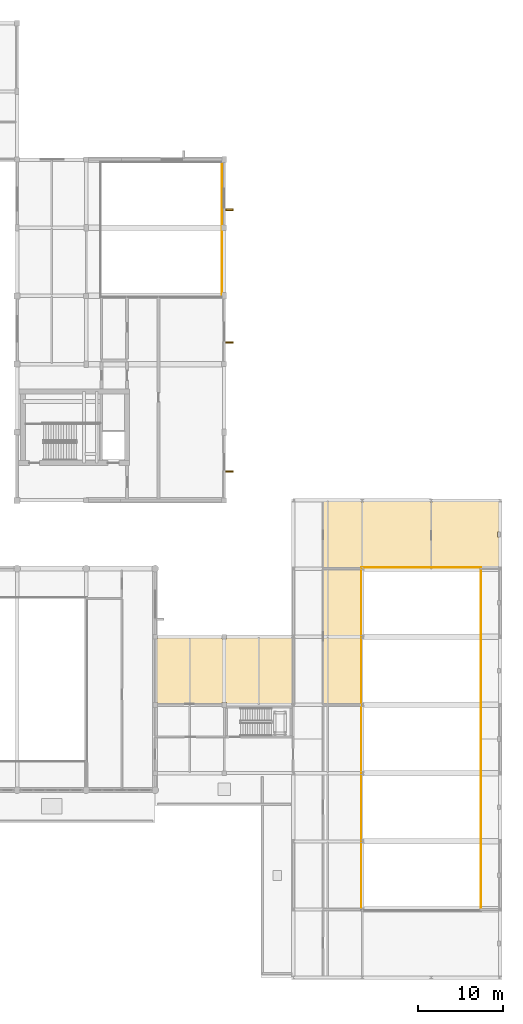
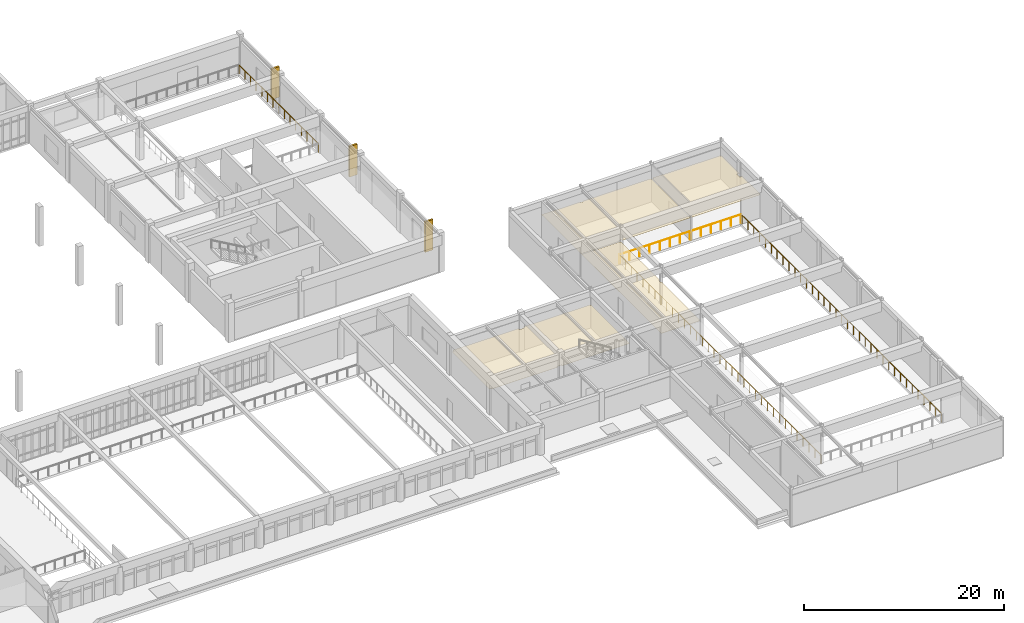
# One storey, part 61 of 61: 5 railings, 4 coverings, 3 shading devices.
"""IFC4 building model written with IfcOpenShell, lengths in metres."""

import ifcopenshell
import ifcopenshell.guid

model = None  # the IFC model being written
_history = None  # IfcOwnerHistory: only IFC2X3 demands one
_inside = {}  # id of a spatial element -> (the spatial element, [elements in it])
_under = {}  # id of a project, library or spatial element -> (it, [spatial elements below it])
_declared = {}  # id of a project -> (the project, [libraries it declares])
_typed = {}  # id of a type object -> (the type object, [elements of that type])
_made_of = {}  # id of a material, layer set ... -> (it, [elements and type objects made of it])


def new_model(schema):
    """Start an empty IFC model of exactly this schema.

    Asked for "IFC4X3", IfcOpenShell would pick the latest addendum, in which some entities
    have other attributes; the version numbers below select the first issue.
    IFC2X3 requires an IfcOwnerHistory on every rooted entity: one is made here for all.
    """
    global model, _history
    if schema == "IFC4X3":
        model = ifcopenshell.file(schema_version=(4, 3, 0, 0))
    else:
        model = ifcopenshell.file(schema=schema)
    _inside.clear()
    _under.clear()
    _declared.clear()
    _typed.clear()
    _made_of.clear()
    _history = None
    if model.schema == "IFC2X3":
        org = make("IfcOrganization", Name="unknown")
        user = make(
            "IfcPersonAndOrganization",
            ThePerson=make("IfcPerson", FamilyName="unknown"),
            TheOrganization=org,
        )
        app = make(
            "IfcApplication",
            ApplicationDeveloper=org,
            Version="unknown",
            ApplicationFullName="unknown",
            ApplicationIdentifier="unknown",
        )
        _history = make(
            "IfcOwnerHistory",
            OwningUser=user,
            OwningApplication=app,
            ChangeAction="ADDED",
            CreationDate=0,
        )
    return model


def make(cls, **values):
    """One entity of the class cls with the attributes given. An attribute that is None is left unset."""
    return model.create_entity(
        cls, **{name: value for name, value in values.items() if value is not None}
    )


def rooted(cls, **values):
    """An entity with a GlobalId (a new one), such as an element, a storey or a relation."""
    return make(cls, GlobalId=ifcopenshell.guid.new(), OwnerHistory=_history, **values)


def si_unit(unit_type, name, prefix=None):
    """IfcSIUnit, for example si_unit("LENGTHUNIT", "METRE", prefix="MILLI")."""
    return make("IfcSIUnit", UnitType=unit_type, Prefix=prefix, Name=name)


def assignment(units):
    """IfcUnitAssignment: the units of a project."""
    return None if units is None else make("IfcUnitAssignment", Units=units)


def point(xyz):
    """IfcCartesianPoint."""
    return None if xyz is None else make("IfcCartesianPoint", Coordinates=xyz)


def direction(xyz):
    """IfcDirection."""
    return None if xyz is None else make("IfcDirection", DirectionRatios=xyz)


def frame(location, z_axis=None, x_axis=None):
    """IfcAxis2Placement3D, a coordinate frame: its origin and axes. An axis left out is left unset."""
    return make(
        "IfcAxis2Placement3D",
        Location=point(location),
        Axis=direction(z_axis),
        RefDirection=direction(x_axis),
    )


def frame_2d(location, x_axis=None):
    """IfcAxis2Placement2D, a coordinate frame in the plane: its origin and x axis."""
    return make(
        "IfcAxis2Placement2D", Location=point(location), RefDirection=direction(x_axis)
    )


def origin():
    """The frame at (0, 0, 0) with its axes left unset."""
    return frame((0.0, 0.0, 0.0))


def origin_2d():
    """The frame at (0, 0) in the plane with its x axis left unset."""
    return frame_2d((0.0, 0.0))


def place(relative_to, where):
    """IfcLocalPlacement: puts the frame where relative to a parent placement (None: the world)."""
    return make(
        "IfcLocalPlacement", PlacementRelTo=relative_to, RelativePlacement=where
    )


def context(
    kind, dimensions, precision=None, world=None, true_north=None, identifier=None
):
    """IfcGeometricRepresentationContext, for example the 3D "Model" context."""
    return make(
        "IfcGeometricRepresentationContext",
        ContextIdentifier=identifier,
        ContextType=kind,
        CoordinateSpaceDimension=dimensions,
        Precision=precision,
        WorldCoordinateSystem=world,
        TrueNorth=true_north,
    )


def subcontext(parent, identifier, kind, view, scale=None):
    """IfcGeometricRepresentationSubContext, for example "Body" below "Model"."""
    return make(
        "IfcGeometricRepresentationSubContext",
        ContextIdentifier=identifier,
        ContextType=kind,
        ParentContext=parent,
        TargetScale=scale,
        TargetView=view,
    )


def project(units=None, contexts=None):
    """IfcProject with its units and contexts."""
    return rooted(
        "IfcProject",
        Name="project",
        RepresentationContexts=contexts,
        UnitsInContext=assignment(units),
    )


def spatial(cls, under=None, at=None, **own):
    """A site, building, storey or space (cls), placed at a placement, below another one or the project."""
    s = rooted(cls, ObjectPlacement=at, **own)
    if under is not None:
        _under.setdefault(under.id(), (under, []))[1].append(s)
    return s


def polyline(points):
    """IfcPolyline through the points."""
    return make("IfcPolyline", Points=[point(p) for p in points])


def profile(cls, at=None, kind="AREA", **sizes):
    """A parametric profile (cls). Its sizes go by their IFC names, for example OverallWidth=200.0."""
    return make(cls, ProfileType=kind, Position=at, **sizes)


def rectangle(**sizes):
    """IfcRectangleProfileDef."""
    return profile("IfcRectangleProfileDef", **sizes)


def circle(**sizes):
    """IfcCircleProfileDef."""
    return profile("IfcCircleProfileDef", **sizes)


def outline(outer, holes=None, kind="AREA"):
    """IfcArbitraryClosedProfileDef: a profile drawn as a closed curve; with holes, ...WithVoids."""
    if holes is None:
        return make("IfcArbitraryClosedProfileDef", ProfileType=kind, OuterCurve=outer)
    return make(
        "IfcArbitraryProfileDefWithVoids",
        ProfileType=kind,
        OuterCurve=outer,
        InnerCurves=holes,
    )


def extrude(swept, where, along, depth):
    """IfcExtrudedAreaSolid: the profile swept, set in the frame where, extruded along a direction by depth."""
    return make(
        "IfcExtrudedAreaSolid",
        SweptArea=swept,
        Position=where,
        ExtrudedDirection=direction(along),
        Depth=depth,
    )


def shape(context_of_items, identifier, shape_type, items):
    """IfcShapeRepresentation: the items that make up one representation, for example the "Body"."""
    return make(
        "IfcShapeRepresentation",
        ContextOfItems=context_of_items,
        RepresentationIdentifier=identifier,
        RepresentationType=shape_type,
        Items=items,
    )


def material(Name=None, Category=None):
    """IfcMaterial."""
    return make("IfcMaterial", Name=Name, Category=Category)


def layer(
    of_material, thickness, ventilated=None, Name=None, Category=None, Priority=None
):
    """IfcMaterialLayer: one layer of a wall or slab, of a material (None: an air gap)."""
    return make(
        "IfcMaterialLayer",
        Material=of_material,
        LayerThickness=thickness,
        IsVentilated=ventilated,
        Name=Name,
        Category=Category,
        Priority=Priority,
    )


def layer_set(layers, Name=None):
    """IfcMaterialLayerSet."""
    return make("IfcMaterialLayerSet", MaterialLayers=layers, LayerSetName=Name)


def material_profile(
    of_material, cross_section, Name=None, Category=None, Priority=None
):
    """IfcMaterialProfile: a cross section and its material."""
    return make(
        "IfcMaterialProfile",
        Name=Name,
        Material=of_material,
        Profile=cross_section,
        Priority=Priority,
        Category=Category,
    )


def profile_set(profiles, Name=None, composite=None):
    """IfcMaterialProfileSet."""
    return make(
        "IfcMaterialProfileSet",
        Name=Name,
        MaterialProfiles=profiles,
        CompositeProfile=composite,
    )


def made_of(thing, what):
    """Note that an element or type object is made of a material, layer set ...; save() writes the relation."""
    if what is not None:
        _made_of.setdefault(what.id(), (what, []))[1].append(thing)
    return thing


def type_object(cls, material=None, **own):
    """A type object (cls), such as IfcWallType, which elements share."""
    return made_of(rooted(cls, **own), material)


def element(
    cls,
    number,
    at=None,
    inside=None,
    cuts=None,
    type_object=None,
    material=None,
    context=None,
    identifier="Body",
    shape_type=None,
    held_by="IfcProductDefinitionShape",
    body=None,
    shapes=None,
    **own,
):
    """One element of the class cls, such as IfcWall. Its Tag is "e" and its number.

    at: its placement. inside: the storey or other place that contains it. cuts: it is an
    opening in that element (IfcRelVoidsElement). A single representation is given by context,
    identifier, shape_type and body (its items); several are given by shapes. held_by: the class
    of the entity that holds the representations. save() writes the other relations.
    """
    e = rooted(cls, Tag="e%d" % number, ObjectPlacement=at, **own)
    if body is not None:
        shapes = [shape(context, identifier, shape_type, body)]
    if shapes is not None:
        e.Representation = make(held_by, Representations=shapes)
    if inside is not None:
        _inside.setdefault(inside.id(), (inside, []))[1].append(e)
    if cuts is not None:
        rooted(
            "IfcRelVoidsElement", RelatingBuildingElement=cuts, RelatedOpeningElement=e
        )
    if type_object is not None:
        _typed.setdefault(type_object.id(), (type_object, []))[1].append(e)
    return made_of(e, material)


def aggregate(whole, parts):
    """IfcRelAggregates: a whole, such as a stair, and the parts it consists of."""
    return rooted("IfcRelAggregates", RelatingObject=whole, RelatedObjects=parts)


def save(model, path):
    """Write the relations noted so far, then the file.

    IfcRelAggregates (storeys below a building ...), IfcRelContainedInSpatialStructure (elements
    in a storey), IfcRelDefinesByType, IfcRelAssociatesMaterial and IfcRelDeclares: one each for
    every whole, place, type object, material and project.
    """
    for whole, parts in _under.values():
        aggregate(whole, parts)
    for where, things in _inside.values():
        rooted(
            "IfcRelContainedInSpatialStructure",
            RelatedElements=things,
            RelatingStructure=where,
        )
    for kind, things in _typed.values():
        rooted("IfcRelDefinesByType", RelatedObjects=things, RelatingType=kind)
    for what, things in _made_of.values():
        rooted("IfcRelAssociatesMaterial", RelatedObjects=things, RelatingMaterial=what)
    for by, libraries in _declared.values():
        rooted("IfcRelDeclares", RelatingContext=by, RelatedDefinitions=libraries)
    model.write(path)


model = new_model("IFC4")

# Units and contexts
model_context = context("Model", 3, precision=1e-05, world=origin(), true_north=direction((0.0, 1.0)))
body_context = subcontext(model_context, "Body", "Model", "MODEL_VIEW")
ifc_project = project(units=[si_unit("LENGTHUNIT", "METRE"), si_unit("AREAUNIT", "SQUARE_METRE"), si_unit("VOLUMEUNIT", "CUBIC_METRE"), si_unit("PLANEANGLEUNIT", "RADIAN"), si_unit("MASSUNIT", "GRAM", prefix="KILO")], contexts=[model_context])

# Site, building, storey
site_placement = place(None, origin())
site = spatial("IfcSite", under=ifc_project, at=site_placement, CompositionType="ELEMENT")
building_placement = place(site_placement, origin())
building = spatial("IfcBuilding", under=site, at=building_placement, Name="Tarnveldt Square Police Headquarters", CompositionType="ELEMENT")
storey_placement = place(building_placement, frame((0.0, 0.0, 5.39990234375)))
storey = spatial("IfcBuildingStorey", under=building, at=storey_placement, Name="L01", CompositionType="ELEMENT", Elevation=5.39990234375)

# Coverings
ifc_material_1 = material(Name="Mineral-fibre acoustic ceiling tile", Category="gypsum")
ifc_layer = layer(ifc_material_1, 0.02001953125)
ifc_layer_set = layer_set([ifc_layer], Name="Mineral-fibre acoustic ceiling tile")
covering_type = type_object("IfcCoveringType", Name="COV-CEIL-20", PredefinedType="CEILING", material=ifc_layer_set)
covering_1_placement = place(storey_placement, frame((0.0, 0.0, 2.75)))
element("IfcCovering", 1, at=covering_1_placement, inside=storey, type_object=covering_type, Name="Occupational Physiotherapy Clinic Acoustic Ceiling", PredefinedType="CEILING", context=body_context, shape_type="SweptSolid", body=[
    extrude(outline(polyline([(137.64990234375, 32.16357421875), (137.54345703125, 32.16357421875), (137.54345703125, 32.14990234375), (129.876953125, 32.14990234375), (129.876953125, 32.277099609375), (129.322998046875, 32.277099609375), (129.322998046875, 32.14990234375), (121.777099609375, 32.14990234375), (121.777099609375, 32.277099609375), (121.550048828125, 32.277099609375), (121.550048828125, 39.722900390625), (121.777099609375, 39.722900390625), (121.777099609375, 39.949951171875), (129.322998046875, 39.949951171875), (129.322998046875, 39.722900390625), (129.876953125, 39.722900390625), (129.876953125, 39.949951171875), (137.54345703125, 39.949951171875), (137.54345703125, 39.83642578125), (137.64990234375, 39.83642578125), (137.64990234375, 32.16357421875)])), origin(), (0.0, 0.0, 1.0), 0.02001953125),
])
covering_2_placement = place(storey_placement, frame((0.0, 0.0, 2.75)))
element("IfcCovering", 2, at=covering_2_placement, inside=storey, type_object=covering_type, Name="Officer Fitness Locker Suite Acoustic Ceiling", PredefinedType="CEILING", context=body_context, shape_type="SweptSolid", body=[
    extrude(outline(polyline([(145.75, 32.16357421875), (145.6435546875, 32.16357421875), (145.6435546875, 32.050048828125), (141.25, 32.050048828125), (141.25, 47.949951171875), (145.6435546875, 47.949951171875), (145.6435546875, 47.83642578125), (145.75, 47.83642578125), (145.75, 40.16357421875), (145.6435546875, 40.16357421875), (145.6435546875, 39.83642578125), (145.75, 39.83642578125), (145.75, 32.16357421875)])), origin(), (0.0, 0.0, 1.0), 0.02001953125),
])
covering_3_placement = place(storey_placement, frame((0.0, 0.0, 2.75)))
element("IfcCovering", 3, at=covering_3_placement, inside=storey, type_object=covering_type, Name="Athletic Recovery Therapy Studio Acoustic Ceiling", PredefinedType="CEILING", context=body_context, shape_type="SweptSolid", body=[
    extrude(outline(polyline([(153.85009765625, 48.050048828125), (145.95654296875, 48.050048828125), (145.95654296875, 48.16357421875), (145.6435546875, 48.16357421875), (145.6435546875, 48.050048828125), (141.25, 48.050048828125), (141.25, 55.949951171875), (145.6435546875, 55.949951171875), (145.6435546875, 55.83642578125), (145.95654296875, 55.83642578125), (145.95654296875, 55.949951171875), (153.743408203125, 55.949951171875), (153.743408203125, 55.83642578125), (153.85009765625, 55.83642578125), (153.85009765625, 48.050048828125)])), origin(), (0.0, 0.0, 1.0), 0.02001953125),
])
covering_4_placement = place(storey_placement, frame((0.0, 0.0, 2.75)))
element("IfcCovering", 4, at=covering_4_placement, inside=storey, type_object=covering_type, Name="Tactical Mobility Conditioning Studio Acoustic Ceiling", PredefinedType="CEILING", context=body_context, shape_type="SweptSolid", body=[
    extrude(outline(polyline([(161.949951171875, 48.16357421875), (161.843505859375, 48.16357421875), (161.843505859375, 48.050048828125), (153.949951171875, 48.050048828125), (153.949951171875, 55.83642578125), (154.056396484375, 55.83642578125), (154.056396484375, 55.949951171875), (161.843505859375, 55.949951171875), (161.843505859375, 55.83642578125), (161.949951171875, 55.83642578125), (161.949951171875, 52.277099609375), (161.64306640625, 52.277099609375), (161.64306640625, 51.722900390625), (161.949951171875, 51.722900390625), (161.949951171875, 48.16357421875)])), origin(), (0.0, 0.0, 1.0), 0.02001953125),
])

# Railings
ifc_material_2 = material(Name="Steel 350W", Category="steel")
railing_type = type_object("IfcRailingType", Name="RL-GR-1100", PredefinedType="GUARDRAIL", material=ifc_material_2)
railing_1_placement = place(storey_placement, frame((159.719970703125, 8.090087890625, 0.0)))
element("IfcRailing", 5, at=railing_1_placement, inside=storey, type_object=railing_type, Name="L01 V3-RANGE Atrium Overlook Guardrail E2", PredefinedType="GUARDRAIL", context=body_context, shape_type="SweptSolid", body=[
    extrude(circle(Radius=0.02392578125, at=origin_2d()), frame((0.0, 0.0, 1.076171875), z_axis=(0.0, 1.0, 0.0), x_axis=(-1.0, 0.0, 0.0)), (0.0, 0.0, 1.0), 39.85986328125),
    extrude(circle(Radius=0.02099609375, at=origin_2d()), origin(), (0.0, 0.0, 1.0), 1.052001953125),
    extrude(circle(Radius=0.02099609375, at=origin_2d()), frame((0.0, 1.17236328125, 0.0)), (0.0, 0.0, 1.0), 1.052001953125),
    extrude(circle(Radius=0.02099609375, at=origin_2d()), frame((0.0, 2.3447265625, 0.0)), (0.0, 0.0, 1.0), 1.052001953125),
    extrude(circle(Radius=0.02099609375, at=origin_2d()), frame((0.0, 3.51708984375, 0.0)), (0.0, 0.0, 1.0), 1.052001953125),
    extrude(circle(Radius=0.02099609375, at=origin_2d()), frame((0.0, 4.689453125, 0.0)), (0.0, 0.0, 1.0), 1.052001953125),
    extrude(circle(Radius=0.02099609375, at=origin_2d()), frame((0.0, 5.86181640625, 0.0)), (0.0, 0.0, 1.0), 1.052001953125),
    extrude(circle(Radius=0.02099609375, at=origin_2d()), frame((0.0, 7.0341796875, 0.0)), (0.0, 0.0, 1.0), 1.052001953125),
    extrude(circle(Radius=0.02099609375, at=origin_2d()), frame((0.0, 8.20654296875, 0.0)), (0.0, 0.0, 1.0), 1.052001953125),
    extrude(circle(Radius=0.02099609375, at=origin_2d()), frame((0.0, 9.37890625, 0.0)), (0.0, 0.0, 1.0), 1.052001953125),
    extrude(circle(Radius=0.02099609375, at=origin_2d()), frame((0.0, 10.551025390625, 0.0)), (0.0, 0.0, 1.0), 1.052001953125),
    extrude(circle(Radius=0.02099609375, at=origin_2d()), frame((0.0, 11.723388671875, 0.0)), (0.0, 0.0, 1.0), 1.052001953125),
    extrude(circle(Radius=0.02099609375, at=origin_2d()), frame((0.0, 12.895751953125, 0.0)), (0.0, 0.0, 1.0), 1.052001953125),
    extrude(circle(Radius=0.02099609375, at=origin_2d()), frame((0.0, 14.068115234375, 0.0)), (0.0, 0.0, 1.0), 1.052001953125),
    extrude(circle(Radius=0.02099609375, at=origin_2d()), frame((0.0, 15.240478515625, 0.0)), (0.0, 0.0, 1.0), 1.052001953125),
    extrude(circle(Radius=0.02099609375, at=origin_2d()), frame((0.0, 16.412841796875, 0.0)), (0.0, 0.0, 1.0), 1.052001953125),
    extrude(circle(Radius=0.02099609375, at=origin_2d()), frame((0.0, 17.585205078125, 0.0)), (0.0, 0.0, 1.0), 1.052001953125),
    extrude(circle(Radius=0.02099609375, at=origin_2d()), frame((0.0, 18.757568359375, 0.0)), (0.0, 0.0, 1.0), 1.052001953125),
    extrude(circle(Radius=0.02099609375, at=origin_2d()), frame((0.0, 19.929931640625, 0.0)), (0.0, 0.0, 1.0), 1.052001953125),
    extrude(circle(Radius=0.02099609375, at=origin_2d()), frame((0.0, 21.102294921875, 0.0)), (0.0, 0.0, 1.0), 1.052001953125),
    extrude(circle(Radius=0.02099609375, at=origin_2d()), frame((0.0, 22.274658203125, 0.0)), (0.0, 0.0, 1.0), 1.052001953125),
    extrude(circle(Radius=0.02099609375, at=origin_2d()), frame((0.0, 23.447021484375, 0.0)), (0.0, 0.0, 1.0), 1.052001953125),
    extrude(circle(Radius=0.02099609375, at=origin_2d()), frame((0.0, 24.619384765625, 0.0)), (0.0, 0.0, 1.0), 1.052001953125),
    extrude(circle(Radius=0.02099609375, at=origin_2d()), frame((0.0, 25.791748046875, 0.0)), (0.0, 0.0, 1.0), 1.052001953125),
    extrude(circle(Radius=0.02099609375, at=origin_2d()), frame((0.0, 26.964111328125, 0.0)), (0.0, 0.0, 1.0), 1.052001953125),
    extrude(circle(Radius=0.02099609375, at=origin_2d()), frame((0.0, 28.136474609375, 0.0)), (0.0, 0.0, 1.0), 1.052001953125),
    extrude(circle(Radius=0.02099609375, at=origin_2d()), frame((0.0, 29.308837890625, 0.0)), (0.0, 0.0, 1.0), 1.052001953125),
    extrude(circle(Radius=0.02099609375, at=origin_2d()), frame((0.0, 30.48095703125, 0.0)), (0.0, 0.0, 1.0), 1.052001953125),
    extrude(circle(Radius=0.02099609375, at=origin_2d()), frame((0.0, 31.6533203125, 0.0)), (0.0, 0.0, 1.0), 1.052001953125),
    extrude(circle(Radius=0.02099609375, at=origin_2d()), frame((0.0, 32.82568359375, 0.0)), (0.0, 0.0, 1.0), 1.052001953125),
    extrude(circle(Radius=0.02099609375, at=origin_2d()), frame((0.0, 33.998046875, 0.0)), (0.0, 0.0, 1.0), 1.052001953125),
    extrude(circle(Radius=0.02099609375, at=origin_2d()), frame((0.0, 35.17041015625, 0.0)), (0.0, 0.0, 1.0), 1.052001953125),
    extrude(circle(Radius=0.02099609375, at=origin_2d()), frame((0.0, 36.3427734375, 0.0)), (0.0, 0.0, 1.0), 1.052001953125),
    extrude(circle(Radius=0.02099609375, at=origin_2d()), frame((0.0, 37.51513671875, 0.0)), (0.0, 0.0, 1.0), 1.052001953125),
    extrude(circle(Radius=0.02099609375, at=origin_2d()), frame((0.0, 38.6875, 0.0)), (0.0, 0.0, 1.0), 1.052001953125),
    extrude(circle(Radius=0.02099609375, at=origin_2d()), frame((0.0, 39.85986328125, 0.0)), (0.0, 0.0, 1.0), 1.052001953125),
])
railing_2_placement = place(storey_placement, frame((159.719970703125, 48.1201171875, 0.0)))
element("IfcRailing", 6, at=railing_2_placement, inside=storey, type_object=railing_type, Name="L01 V3-RANGE Atrium Overlook Guardrail N1", PredefinedType="GUARDRAIL", context=body_context, shape_type="SweptSolid", body=[
    extrude(circle(Radius=0.02392578125, at=origin_2d()), frame((0.0, 0.0, 1.076171875), z_axis=(-1.0, 0.0, 0.0), x_axis=(0.0, -1.0, 0.0)), (0.0, 0.0, 1.0), 5.764892578125),
    extrude(circle(Radius=0.02099609375, at=origin_2d()), origin(), (0.0, 0.0, 1.0), 1.052001953125),
    extrude(circle(Radius=0.02099609375, at=origin_2d()), frame((-1.153076171875, 0.0, 0.0)), (0.0, 0.0, 1.0), 1.052001953125),
    extrude(circle(Radius=0.02099609375, at=origin_2d()), frame((-2.305908203125, 0.0, 0.0)), (0.0, 0.0, 1.0), 1.052001953125),
    extrude(circle(Radius=0.02099609375, at=origin_2d()), frame((-3.458984375, 0.0, 0.0)), (0.0, 0.0, 1.0), 1.052001953125),
    extrude(circle(Radius=0.02099609375, at=origin_2d()), frame((-4.61181640625, 0.0, 0.0)), (0.0, 0.0, 1.0), 1.052001953125),
    extrude(circle(Radius=0.02099609375, at=origin_2d()), frame((-5.764892578125, 0.0, 0.0)), (0.0, 0.0, 1.0), 1.052001953125),
])
railing_3_placement = place(storey_placement, frame((153.844970703125, 48.1201171875, 0.0)))
element("IfcRailing", 7, at=railing_3_placement, inside=storey, type_object=railing_type, Name="L01 V3-RANGE Atrium Overlook Guardrail N2", PredefinedType="GUARDRAIL", context=body_context, shape_type="SweptSolid", body=[
    extrude(circle(Radius=0.02392578125, at=origin_2d()), frame((0.0, 0.0, 1.076171875), z_axis=(-1.0, 0.0, 0.0), x_axis=(0.0, -1.0, 0.0)), (0.0, 0.0, 1.0), 8.1650390625),
    extrude(circle(Radius=0.02099609375, at=origin_2d()), origin(), (0.0, 0.0, 1.0), 1.052001953125),
    extrude(circle(Radius=0.02099609375, at=origin_2d()), frame((-1.16650390625, 0.0, 0.0)), (0.0, 0.0, 1.0), 1.052001953125),
    extrude(circle(Radius=0.02099609375, at=origin_2d()), frame((-2.332763671875, 0.0, 0.0)), (0.0, 0.0, 1.0), 1.052001953125),
    extrude(circle(Radius=0.02099609375, at=origin_2d()), frame((-3.499267578125, 0.0, 0.0)), (0.0, 0.0, 1.0), 1.052001953125),
    extrude(circle(Radius=0.02099609375, at=origin_2d()), frame((-4.665771484375, 0.0, 0.0)), (0.0, 0.0, 1.0), 1.052001953125),
    extrude(circle(Radius=0.02099609375, at=origin_2d()), frame((-5.832275390625, 0.0, 0.0)), (0.0, 0.0, 1.0), 1.052001953125),
    extrude(circle(Radius=0.02099609375, at=origin_2d()), frame((-6.99853515625, 0.0, 0.0)), (0.0, 0.0, 1.0), 1.052001953125),
    extrude(circle(Radius=0.02099609375, at=origin_2d()), frame((-8.1650390625, 0.0, 0.0)), (0.0, 0.0, 1.0), 1.052001953125),
])
railing_4_placement = place(storey_placement, frame((145.679931640625, 48.1201171875, 0.0)))
element("IfcRailing", 8, at=railing_4_placement, inside=storey, type_object=railing_type, Name="L01 V3-RANGE Atrium Overlook Guardrail W1", PredefinedType="GUARDRAIL", context=body_context, shape_type="SweptSolid", body=[
    extrude(circle(Radius=0.02392578125, at=origin_2d()), frame((0.0, 0.0, 1.076171875), z_axis=(0.0, -1.0, 0.0), x_axis=(1.0, 0.0, 0.0)), (0.0, 0.0, 1.0), 40.240234375),
    extrude(circle(Radius=0.02099609375, at=origin_2d()), origin(), (0.0, 0.0, 1.0), 1.052001953125),
    extrude(circle(Radius=0.02099609375, at=origin_2d()), frame((0.0, -1.18359375, 0.0)), (0.0, 0.0, 1.0), 1.052001953125),
    extrude(circle(Radius=0.02099609375, at=origin_2d()), frame((0.0, -2.3671875, 0.0)), (0.0, 0.0, 1.0), 1.052001953125),
    extrude(circle(Radius=0.02099609375, at=origin_2d()), frame((0.0, -3.550537109375, 0.0)), (0.0, 0.0, 1.0), 1.052001953125),
    extrude(circle(Radius=0.02099609375, at=origin_2d()), frame((0.0, -4.734130859375, 0.0)), (0.0, 0.0, 1.0), 1.052001953125),
    extrude(circle(Radius=0.02099609375, at=origin_2d()), frame((0.0, -5.917724609375, 0.0)), (0.0, 0.0, 1.0), 1.052001953125),
    extrude(circle(Radius=0.02099609375, at=origin_2d()), frame((0.0, -7.101318359375, 0.0)), (0.0, 0.0, 1.0), 1.052001953125),
    extrude(circle(Radius=0.02099609375, at=origin_2d()), frame((0.0, -8.28466796875, 0.0)), (0.0, 0.0, 1.0), 1.052001953125),
    extrude(circle(Radius=0.02099609375, at=origin_2d()), frame((0.0, -9.46826171875, 0.0)), (0.0, 0.0, 1.0), 1.052001953125),
    extrude(circle(Radius=0.02099609375, at=origin_2d()), frame((0.0, -10.65185546875, 0.0)), (0.0, 0.0, 1.0), 1.052001953125),
    extrude(circle(Radius=0.02099609375, at=origin_2d()), frame((0.0, -11.83544921875, 0.0)), (0.0, 0.0, 1.0), 1.052001953125),
    extrude(circle(Radius=0.02099609375, at=origin_2d()), frame((0.0, -13.018798828125, 0.0)), (0.0, 0.0, 1.0), 1.052001953125),
    extrude(circle(Radius=0.02099609375, at=origin_2d()), frame((0.0, -14.202392578125, 0.0)), (0.0, 0.0, 1.0), 1.052001953125),
    extrude(circle(Radius=0.02099609375, at=origin_2d()), frame((0.0, -15.385986328125, 0.0)), (0.0, 0.0, 1.0), 1.052001953125),
    extrude(circle(Radius=0.02099609375, at=origin_2d()), frame((0.0, -16.569580078125, 0.0)), (0.0, 0.0, 1.0), 1.052001953125),
    extrude(circle(Radius=0.02099609375, at=origin_2d()), frame((0.0, -17.7529296875, 0.0)), (0.0, 0.0, 1.0), 1.052001953125),
    extrude(circle(Radius=0.02099609375, at=origin_2d()), frame((0.0, -18.9365234375, 0.0)), (0.0, 0.0, 1.0), 1.052001953125),
    extrude(circle(Radius=0.02099609375, at=origin_2d()), frame((0.0, -20.1201171875, 0.0)), (0.0, 0.0, 1.0), 1.052001953125),
    extrude(circle(Radius=0.02099609375, at=origin_2d()), frame((0.0, -21.3037109375, 0.0)), (0.0, 0.0, 1.0), 1.052001953125),
    extrude(circle(Radius=0.02099609375, at=origin_2d()), frame((0.0, -22.4873046875, 0.0)), (0.0, 0.0, 1.0), 1.052001953125),
    extrude(circle(Radius=0.02099609375, at=origin_2d()), frame((0.0, -23.670654296875, 0.0)), (0.0, 0.0, 1.0), 1.052001953125),
    extrude(circle(Radius=0.02099609375, at=origin_2d()), frame((0.0, -24.854248046875, 0.0)), (0.0, 0.0, 1.0), 1.052001953125),
    extrude(circle(Radius=0.02099609375, at=origin_2d()), frame((0.0, -26.037841796875, 0.0)), (0.0, 0.0, 1.0), 1.052001953125),
    extrude(circle(Radius=0.02099609375, at=origin_2d()), frame((0.0, -27.221435546875, 0.0)), (0.0, 0.0, 1.0), 1.052001953125),
    extrude(circle(Radius=0.02099609375, at=origin_2d()), frame((0.0, -28.40478515625, 0.0)), (0.0, 0.0, 1.0), 1.052001953125),
    extrude(circle(Radius=0.02099609375, at=origin_2d()), frame((0.0, -29.58837890625, 0.0)), (0.0, 0.0, 1.0), 1.052001953125),
    extrude(circle(Radius=0.02099609375, at=origin_2d()), frame((0.0, -30.77197265625, 0.0)), (0.0, 0.0, 1.0), 1.052001953125),
    extrude(circle(Radius=0.02099609375, at=origin_2d()), frame((0.0, -31.95556640625, 0.0)), (0.0, 0.0, 1.0), 1.052001953125),
    extrude(circle(Radius=0.02099609375, at=origin_2d()), frame((0.0, -33.138916015625, 0.0)), (0.0, 0.0, 1.0), 1.052001953125),
    extrude(circle(Radius=0.02099609375, at=origin_2d()), frame((0.0, -34.322509765625, 0.0)), (0.0, 0.0, 1.0), 1.052001953125),
    extrude(circle(Radius=0.02099609375, at=origin_2d()), frame((0.0, -35.506103515625, 0.0)), (0.0, 0.0, 1.0), 1.052001953125),
    extrude(circle(Radius=0.02099609375, at=origin_2d()), frame((0.0, -36.689697265625, 0.0)), (0.0, 0.0, 1.0), 1.052001953125),
    extrude(circle(Radius=0.02099609375, at=origin_2d()), frame((0.0, -37.873046875, 0.0)), (0.0, 0.0, 1.0), 1.052001953125),
    extrude(circle(Radius=0.02099609375, at=origin_2d()), frame((0.0, -39.056640625, 0.0)), (0.0, 0.0, 1.0), 1.052001953125),
    extrude(circle(Radius=0.02099609375, at=origin_2d()), frame((0.0, -40.240234375, 0.0)), (0.0, 0.0, 1.0), 1.052001953125),
])
railing_5_placement = place(storey_placement, frame((129.320068359375, 79.8798828125, 0.0)))
element("IfcRailing", 9, at=railing_5_placement, inside=storey, type_object=railing_type, Name="L01 V7-SALLY Atrium Overlook Guardrail E1", PredefinedType="GUARDRAIL", context=body_context, shape_type="SweptSolid", body=[
    extrude(circle(Radius=0.02392578125, at=origin_2d()), frame((0.0, 0.0, 1.076171875), z_axis=(0.0, 1.0, 0.0), x_axis=(-1.0, 0.0, 0.0)), (0.0, 0.0, 1.0), 15.840087890625),
    extrude(circle(Radius=0.02099609375, at=origin_2d()), origin(), (0.0, 0.0, 1.0), 1.052001953125),
    extrude(circle(Radius=0.02099609375, at=origin_2d()), frame((0.0, 1.13134765625, 0.0)), (0.0, 0.0, 1.0), 1.052001953125),
    extrude(circle(Radius=0.02099609375, at=origin_2d()), frame((0.0, 2.262939453125, 0.0)), (0.0, 0.0, 1.0), 1.052001953125),
    extrude(circle(Radius=0.02099609375, at=origin_2d()), frame((0.0, 3.394287109375, 0.0)), (0.0, 0.0, 1.0), 1.052001953125),
    extrude(circle(Radius=0.02099609375, at=origin_2d()), frame((0.0, 4.525634765625, 0.0)), (0.0, 0.0, 1.0), 1.052001953125),
    extrude(circle(Radius=0.02099609375, at=origin_2d()), frame((0.0, 5.6572265625, 0.0)), (0.0, 0.0, 1.0), 1.052001953125),
    extrude(circle(Radius=0.02099609375, at=origin_2d()), frame((0.0, 6.78857421875, 0.0)), (0.0, 0.0, 1.0), 1.052001953125),
    extrude(circle(Radius=0.02099609375, at=origin_2d()), frame((0.0, 7.919921875, 0.0)), (0.0, 0.0, 1.0), 1.052001953125),
    extrude(circle(Radius=0.02099609375, at=origin_2d()), frame((0.0, 9.051513671875, 0.0)), (0.0, 0.0, 1.0), 1.052001953125),
    extrude(circle(Radius=0.02099609375, at=origin_2d()), frame((0.0, 10.182861328125, 0.0)), (0.0, 0.0, 1.0), 1.052001953125),
    extrude(circle(Radius=0.02099609375, at=origin_2d()), frame((0.0, 11.314453125, 0.0)), (0.0, 0.0, 1.0), 1.052001953125),
    extrude(circle(Radius=0.02099609375, at=origin_2d()), frame((0.0, 12.44580078125, 0.0)), (0.0, 0.0, 1.0), 1.052001953125),
    extrude(circle(Radius=0.02099609375, at=origin_2d()), frame((0.0, 13.5771484375, 0.0)), (0.0, 0.0, 1.0), 1.052001953125),
    extrude(circle(Radius=0.02099609375, at=origin_2d()), frame((0.0, 14.708740234375, 0.0)), (0.0, 0.0, 1.0), 1.052001953125),
    extrude(circle(Radius=0.02099609375, at=origin_2d()), frame((0.0, 15.840087890625, 0.0)), (0.0, 0.0, 1.0), 1.052001953125),
])

# Shading devices
ifc_material_3 = material(Name="Precast concrete 35 MPa", Category="concrete")
ifc_material_profile = material_profile(ifc_material_3, rectangle(XDim=0.219970703125, YDim=0.89990234375, at=origin_2d()), Name="PC-FIN220x900")
ifc_profile_set = profile_set([ifc_material_profile], Name="Precast concrete 35 MPa")
shading_device_type = type_object("IfcShadingDeviceType", Name="SHD-FIN-900", PredefinedType="USERDEFINED", material=ifc_profile_set)
for number, where, z_axis, x_axis, name in (
    (10, (130.205078125, 59.39990234375, 0.150146484375), (0.0, 0.0, 1.0), (0.0, 1.0, 0.0), "L01 Precast Deep-Reveal Brutalist Fin 018"),
    (11, (130.205078125, 74.533447265625, 0.150146484375), (0.0, 0.0, 1.0), (0.0, 1.0, 0.0), "L01 Precast Deep-Reveal Brutalist Fin 019"),
    (12, (130.205078125, 90.11669921875, 0.150146484375), (0.0, 0.0, 1.0), (0.0, 1.0, 0.0), "L01 Precast Deep-Reveal Brutalist Fin 020"),
):
    element("IfcShadingDevice", number, at=place(storey_placement, frame(where, z_axis=z_axis, x_axis=x_axis)), inside=storey, type_object=shading_device_type, Name=name, ObjectType="SOLAR SHADING FIN", PredefinedType="USERDEFINED", context=body_context, shape_type="SweptSolid", body=[
        extrude(rectangle(XDim=0.219970703125, YDim=0.89990234375, at=origin_2d()), origin(), (0.0, 0.0, 1.0), 3.7119140625),
    ])

save(model, "model.ifc")
